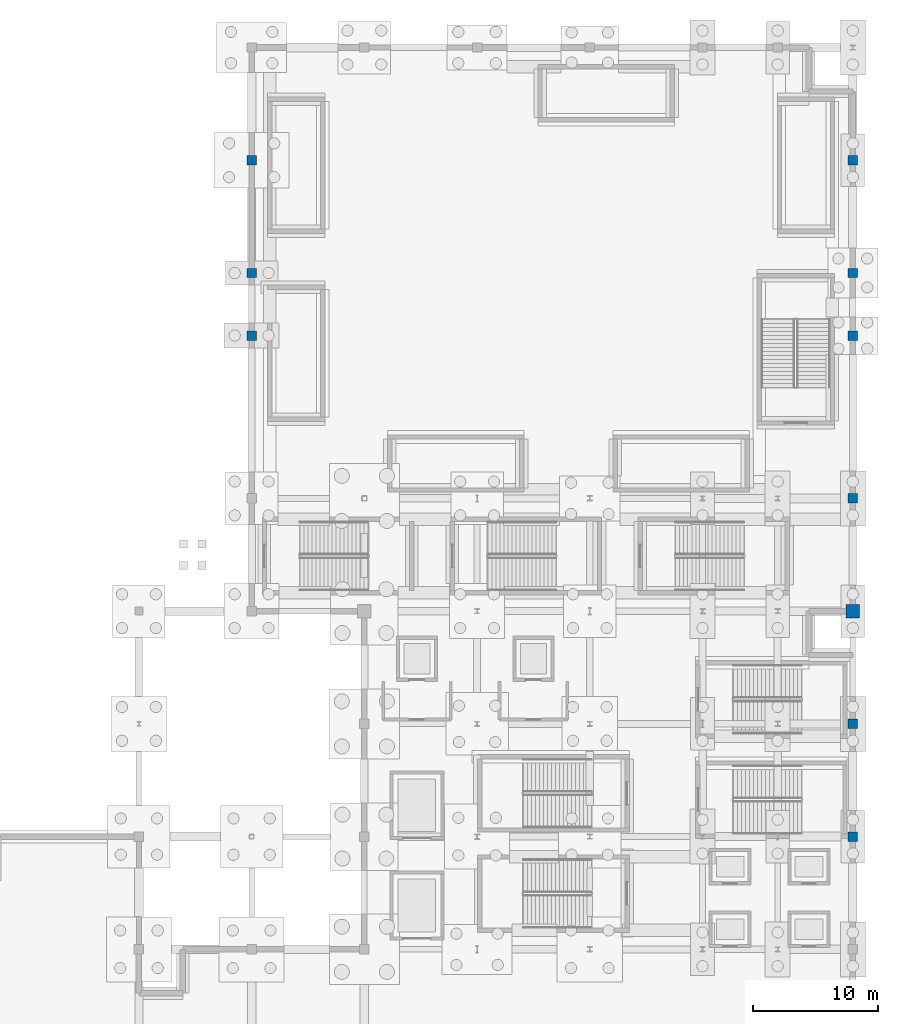
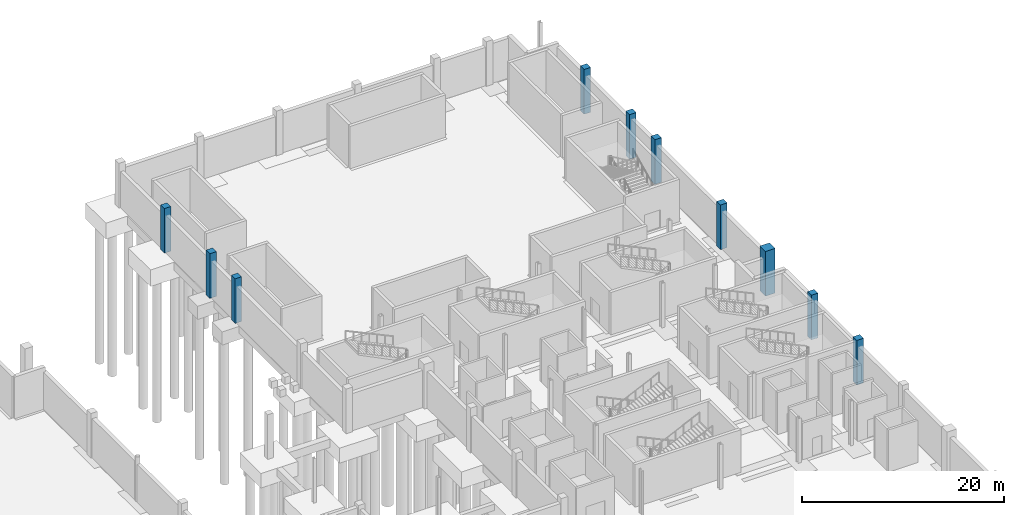
# One storey, part 33 of 58: 10 columns.
"""IFC4 building model written with IfcOpenShell, lengths in metres."""

from ifc_helpers import new_model, si_unit, direction, frame, origin, origin_2d, place, context, subcontext, project, spatial, rectangle, extrude, material, material_profile, profile_set, type_object, element, save


model = new_model("IFC4")

# Units and contexts
model_context = context("Model", 3, precision=1e-05, world=origin(), true_north=direction((0.0, 1.0)))
body_context = subcontext(model_context, "Body", "Model", "MODEL_VIEW")
ifc_project = project(units=[si_unit("LENGTHUNIT", "METRE"), si_unit("AREAUNIT", "SQUARE_METRE"), si_unit("VOLUMEUNIT", "CUBIC_METRE"), si_unit("PLANEANGLEUNIT", "RADIAN"), si_unit("MASSUNIT", "GRAM", prefix="KILO")], contexts=[model_context])

# Site, building, storey
site_placement = place(None, origin())
site = spatial("IfcSite", under=ifc_project, at=site_placement, CompositionType="ELEMENT")
building_placement = place(site_placement, origin())
building = spatial("IfcBuilding", under=site, at=building_placement, Name="Qamarlyn Nura Convention Centre", CompositionType="ELEMENT")
storey_placement = place(building_placement, frame((0.0, 0.0, -5.39990234375)))
storey = spatial("IfcBuildingStorey", under=building, at=storey_placement, Name="B01", CompositionType="ELEMENT", Elevation=-5.39990234375)

# Columns
ifc_material = material(Name="Concrete C50/60", Category="concrete")
ifc_material_profile_1 = material_profile(ifc_material, rectangle(XDim=1.10009765625, YDim=1.10009765625, at=origin_2d()), Name="RC 1100x1100")
ifc_profile_set_1 = profile_set([ifc_material_profile_1], Name="Concrete C50/60")
column_type_1 = type_object("IfcColumnType", Name="COL-MEGA-2", PredefinedType="COLUMN", material=ifc_profile_set_1)
column_placement = place(storey_placement, frame((192.0, 81.0, 0.0), z_axis=(0.0, 0.0, 1.0), x_axis=(1.0, 0.0, 0.0)))
element("IfcColumn", 1, at=column_placement, inside=storey, type_object=column_type_1, Name="B01 column 18/K", PredefinedType="COLUMN", context=body_context, shape_type="SweptSolid", body=[
    extrude(rectangle(XDim=1.10009765625, YDim=1.10009765625, at=origin_2d()), origin(), (0.0, 0.0, 1.0), 5.39990234375),
])
ifc_material_profile_2 = material_profile(ifc_material, rectangle(XDim=0.75, YDim=0.75, at=origin_2d()), Name="RC 750x750")
ifc_profile_set_2 = profile_set([ifc_material_profile_2], Name="Concrete C50/60")
column_type_2 = type_object("IfcColumnType", Name="COL-SUB-2", PredefinedType="COLUMN", material=ifc_profile_set_2)
for number, where, z_axis, x_axis, name in (
    (2, (144.0, 103.0, 0.0), (0.0, 0.0, 1.0), (1.0, 0.0, 0.0), "B01 column 12/M"),
    (3, (144.0, 108.0, 0.0), (0.0, 0.0, 1.0), (1.0, 0.0, 0.0), "B01 column 12/N"),
    (4, (144.0, 117.0, 0.0), (0.0, 0.0, 1.0), (1.0, 0.0, 0.0), "B01 column 12/P"),
    (5, (192.0, 63.0, 0.0), (0.0, 0.0, 1.0), (1.0, 0.0, 0.0), "B01 column 18/H"),
    (6, (192.0, 72.0, 0.0), (0.0, 0.0, 1.0), (1.0, 0.0, 0.0), "B01 column 18/J"),
    (7, (192.0, 90.0, 0.0), (0.0, 0.0, 1.0), (1.0, 0.0, 0.0), "B01 column 18/L"),
    (8, (192.0, 103.0, 0.0), (0.0, 0.0, 1.0), (1.0, 0.0, 0.0), "B01 column 18/M"),
    (9, (192.0, 108.0, 0.0), (0.0, 0.0, 1.0), (1.0, 0.0, 0.0), "B01 column 18/N"),
    (10, (192.0, 117.0, 0.0), (0.0, 0.0, 1.0), (1.0, 0.0, 0.0), "B01 column 18/P"),
):
    element("IfcColumn", number, at=place(storey_placement, frame(where, z_axis=z_axis, x_axis=x_axis)), inside=storey, type_object=column_type_2, Name=name, PredefinedType="COLUMN", context=body_context, shape_type="SweptSolid", body=[
        extrude(rectangle(XDim=0.75, YDim=0.75, at=origin_2d()), origin(), (0.0, 0.0, 1.0), 5.39990234375),
    ])

save(model, "model.ifc")
